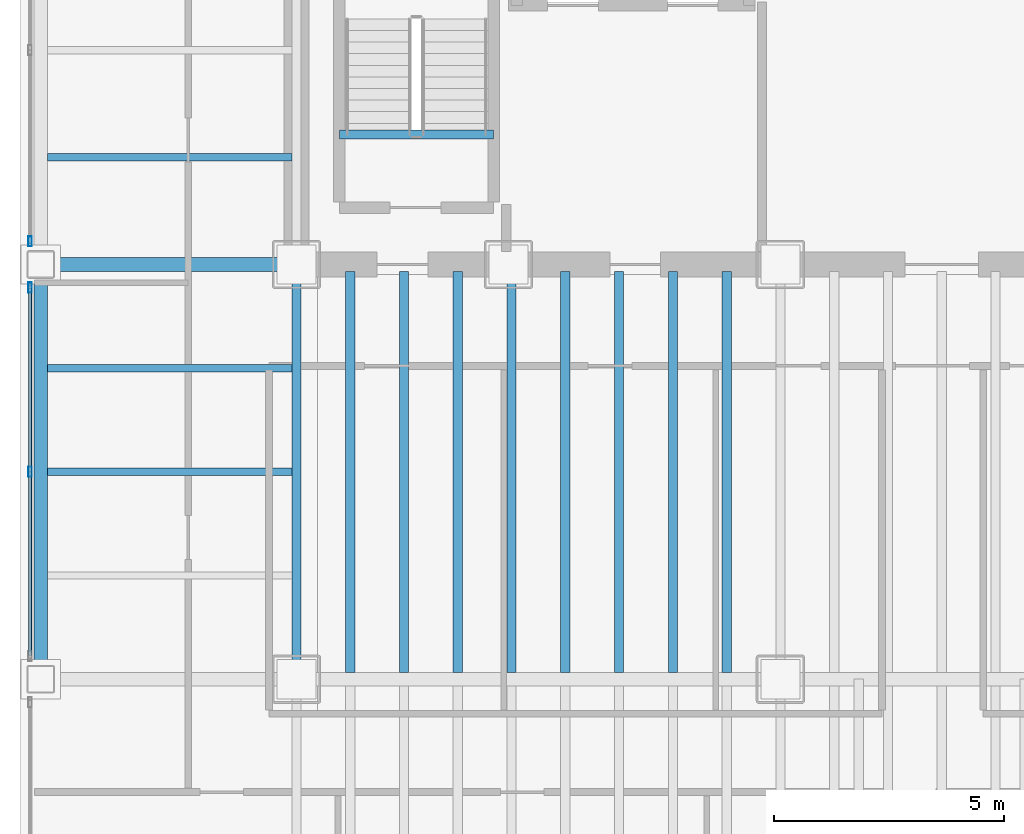
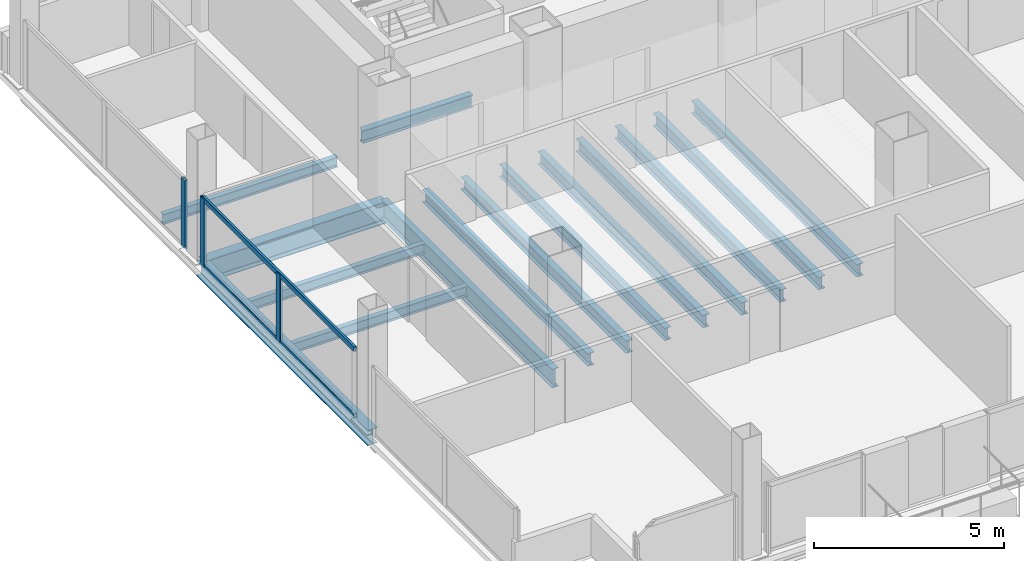
# One storey, part 6 of 21: 15 beams, 5 members, 2 elements without a shape of their own.
"""IFC4 building model written with IfcOpenShell, lengths in metres."""

from ifc_helpers import new_model, si_unit, direction, frame, origin, origin_2d, place, context, subcontext, project, spatial, hollow_rectangle, i_section, extrude, material, material_profile, profile_set, type_object, element, aggregate, save


model = new_model("IFC4")

# Units and contexts
model_context = context("Model", 3, precision=1e-05, world=origin(), true_north=direction((0.0, 1.0)))
body_context = subcontext(model_context, "Body", "Model", "MODEL_VIEW")
ifc_project = project(units=[si_unit("LENGTHUNIT", "METRE"), si_unit("AREAUNIT", "SQUARE_METRE"), si_unit("VOLUMEUNIT", "CUBIC_METRE"), si_unit("PLANEANGLEUNIT", "RADIAN"), si_unit("MASSUNIT", "GRAM", prefix="KILO")], contexts=[model_context])

# Site, building, storey
site_placement = place(None, origin())
site = spatial("IfcSite", under=ifc_project, at=site_placement, CompositionType="ELEMENT")
building_placement = place(site_placement, origin())
building = spatial("IfcBuilding", under=site, at=building_placement, Name="Noeulbin Bourse Tower", CompositionType="ELEMENT")
storey_placement = place(building_placement, frame((0.0, 0.0, 96.699951171875)))
storey = spatial("IfcBuildingStorey", under=building, at=storey_placement, Name="L24", CompositionType="ELEMENT", Elevation=96.699951171875)

# Beams
ifc_material_1 = material(Name="Steel S355", Category="steel")
ifc_material_profile_1 = material_profile(ifc_material_1, i_section(OverallWidth=0.199951171875, OverallDepth=0.60009765625, WebThickness=0.010986328125, FlangeThickness=0.01708984375, FilletRadius=0.02197265625, at=origin_2d()), Name="H-600x200x11x17", Category="LoadBearing")
ifc_profile_set_1 = profile_set([ifc_material_profile_1], Name="Steel S355")
beam_type_1 = type_object("IfcBeamType", Name="BM-GRD-600", PredefinedType="USERDEFINED", material=ifc_profile_set_1)
beam_1_placement = place(storey_placement, frame((13.5, 20.0, -0.47998046875), z_axis=(0.0, 1.0, 0.0), x_axis=(-1.0, 0.0, 0.0)))
element("IfcBeam", 1, at=beam_1_placement, inside=storey, type_object=beam_type_1, Name="Tower Primary Girder NS L24-1.2", ObjectType="GIRDER", PredefinedType="USERDEFINED", context=body_context, shape_type="SweptSolid", body=[
    extrude(i_section(OverallWidth=0.199951171875, OverallDepth=0.60009765625, WebThickness=0.010986328125, FlangeThickness=0.01708984375, FilletRadius=0.02197265625, at=origin_2d()), origin(), (0.0, 0.0, 1.0), 9.0),
])
ifc_material_profile_2 = material_profile(ifc_material_1, i_section(OverallWidth=0.300048828125, OverallDepth=0.699951171875, WebThickness=0.012939453125, FlangeThickness=0.02392578125, FilletRadius=0.02392578125, at=origin_2d()), Name="H-700x300x13x24", Category="LoadBearing")
ifc_profile_set_2 = profile_set([ifc_material_profile_2], Name="Steel S355")
beam_type_2 = type_object("IfcBeamType", Name="BM-GRD-700", PredefinedType="USERDEFINED", material=ifc_profile_set_2)
beam_2_placement = place(storey_placement, frame((7.949951171875, 29.0, -0.530029296875), z_axis=(1.0, 0.0, 0.0), x_axis=(0.0, 1.0, 0.0)))
element("IfcBeam", 2, at=beam_2_placement, inside=storey, type_object=beam_type_2, Name="Tower Primary Girder EW L24-2.1", ObjectType="GIRDER", PredefinedType="USERDEFINED", context=body_context, shape_type="SweptSolid", body=[
    extrude(i_section(OverallWidth=0.300048828125, OverallDepth=0.699951171875, WebThickness=0.012939453125, FlangeThickness=0.02392578125, FilletRadius=0.02392578125, at=origin_2d()), origin(), (0.0, 0.0, 1.0), 5.550048828125),
])
ifc_material_profile_3 = material_profile(ifc_material_1, i_section(OverallWidth=0.159912109375, OverallDepth=0.320068359375, WebThickness=0.006591796875, FlangeThickness=0.010009765625, FilletRadius=0.012939453125, at=origin_2d()), Name="H-320x160x6.5x10", Category="LoadBearing")
ifc_profile_set_3 = profile_set([ifc_material_profile_3], Name="Steel S355")
beam_type_3 = type_object("IfcBeamType", Name="BM-JST-320", PredefinedType="JOIST", material=ifc_profile_set_3)
for number, where, z_axis, x_axis, name in (
    (3, (8.10009765625, 24.5, -0.33984375), (1.0, 0.0, 0.0), (0.0, 1.0, 0.0), "Wing Composite Joist L24-W71"),
    (4, (8.10009765625, 26.75, -0.33984375), (1.0, 0.0, 0.0), (0.0, 1.0, 0.0), "Wing Composite Joist L24-W72"),
    (5, (8.10009765625, 31.324951171875, -0.33984375), (1.0, 0.0, 0.0), (0.0, 1.0, 0.0), "Wing Composite Joist L24-W73"),
):
    element("IfcBeam", number, at=place(storey_placement, frame(where, z_axis=z_axis, x_axis=x_axis)), inside=storey, type_object=beam_type_3, Name=name, PredefinedType="JOIST", context=body_context, shape_type="SweptSolid", body=[
        extrude(i_section(OverallWidth=0.159912109375, OverallDepth=0.320068359375, WebThickness=0.006591796875, FlangeThickness=0.010009765625, FilletRadius=0.012939453125, at=origin_2d()), origin(), (0.0, 0.0, 1.0), 5.2998046875),
    ])
ifc_material_profile_4 = material_profile(ifc_material_1, i_section(OverallWidth=0.199951171875, OverallDepth=0.39990234375, WebThickness=0.008056640625, FlangeThickness=0.012939453125, FilletRadius=0.01611328125, at=origin_2d()), Name="H-400x200x8x13", Category="LoadBearing")
ifc_profile_set_4 = profile_set([ifc_material_profile_4], Name="Steel S355")
beam_type_4 = type_object("IfcBeamType", Name="BM-SEC-400", PredefinedType="BEAM", material=ifc_profile_set_4)
for number, where, z_axis, x_axis, name in (
    (6, (14.666748046875, 20.14990234375, -0.3798828125), (0.0, 1.0, 0.0), (-1.0, 0.0, 0.0), "Tower Composite Joist L24-02"),
    (7, (15.833251953125, 20.14990234375, -0.3798828125), (0.0, 1.0, 0.0), (-1.0, 0.0, 0.0), "Tower Composite Joist L24-05"),
    (8, (17.0, 20.14990234375, -0.3798828125), (0.0, 1.0, 0.0), (-1.0, 0.0, 0.0), "Tower Composite Joist L24-08"),
    (9, (18.166748046875, 20.14990234375, -0.3798828125), (0.0, 1.0, 0.0), (-1.0, 0.0, 0.0), "Tower Composite Joist L24-11"),
    (10, (19.333251953125, 20.14990234375, -0.3798828125), (0.0, 1.0, 0.0), (-1.0, 0.0, 0.0), "Tower Composite Joist L24-14"),
    (11, (20.5, 20.14990234375, -0.3798828125), (0.0, 1.0, 0.0), (-1.0, 0.0, 0.0), "Tower Composite Joist L24-17"),
    (12, (21.666748046875, 20.14990234375, -0.3798828125), (0.0, 1.0, 0.0), (-1.0, 0.0, 0.0), "Tower Composite Joist L24-20"),
    (13, (22.833251953125, 20.14990234375, -0.3798828125), (0.0, 1.0, 0.0), (-1.0, 0.0, 0.0), "Tower Composite Joist L24-23"),
):
    element("IfcBeam", number, at=place(storey_placement, frame(where, z_axis=z_axis, x_axis=x_axis)), inside=storey, type_object=beam_type_4, Name=name, PredefinedType="BEAM", context=body_context, shape_type="SweptSolid", body=[
        extrude(i_section(OverallWidth=0.199951171875, OverallDepth=0.39990234375, WebThickness=0.008056640625, FlangeThickness=0.012939453125, FilletRadius=0.01611328125, at=origin_2d()), origin(), (0.0, 0.0, 1.0), 8.7001953125),
    ])
beam_3_placement = place(storey_placement, frame((14.429931640625, 31.820068359375, -0.199951171875), z_axis=(1.0, 0.0, 0.0), x_axis=(0.0, 1.0, 0.0)))
element("IfcBeam", 14, at=beam_3_placement, inside=storey, type_object=beam_type_4, Name="Stair Threshold Trimmer Beam ST1-L24", PredefinedType="BEAM", context=body_context, shape_type="SweptSolid", body=[
    extrude(i_section(OverallWidth=0.199951171875, OverallDepth=0.39990234375, WebThickness=0.008056640625, FlangeThickness=0.012939453125, FilletRadius=0.01611328125, at=origin_2d()), origin(), (0.0, 0.0, 1.0), 3.340087890625),
])
ifc_material_profile_5 = material_profile(ifc_material_1, i_section(OverallWidth=0.300048828125, OverallDepth=0.488037109375, WebThickness=0.010986328125, FlangeThickness=0.01806640625, FilletRadius=0.02197265625, at=origin_2d()), Name="H-488x300x11x18", Category="LoadBearing")
ifc_profile_set_5 = profile_set([ifc_material_profile_5], Name="Steel S355")
beam_type_5 = type_object("IfcBeamType", Name="BM-SPN-488", PredefinedType="SPANDREL", material=ifc_profile_set_5)
beam_4_placement = place(storey_placement, frame((7.949951171875, 20.0, -0.424072265625), z_axis=(0.0, 1.0, 0.0), x_axis=(-1.0, 0.0, 0.0)))
element("IfcBeam", 15, at=beam_4_placement, inside=storey, type_object=beam_type_5, Name="West Spandrel L24-1", PredefinedType="SPANDREL", context=body_context, shape_type="SweptSolid", body=[
    extrude(i_section(OverallWidth=0.300048828125, OverallDepth=0.488037109375, WebThickness=0.010986328125, FlangeThickness=0.01806640625, FilletRadius=0.02197265625, at=origin_2d()), origin(), (0.0, 0.0, 1.0), 9.0),
])

# Curtain wall, members
ifc_material_2 = material(Name="Dark Solar-Control Double Glazing", Category="glass")
curtain_wall_type = type_object("IfcCurtainWallType", Name="CW-SYS-2", PredefinedType="NOTDEFINED", material=ifc_material_2)
curtain_wall_1_placement = place(storey_placement, origin())
curtain_wall_1 = element("IfcCurtainWall", 16, at=curtain_wall_1_placement, inside=storey, type_object=curtain_wall_type, Name="Unitised Curtain Wall CW-L24-W-S2", PredefinedType="NOTDEFINED")
ifc_material_3 = material(Name="Anodised Aluminium 6063-T6", Category="aluminium")
ifc_material_profile_6 = material_profile(ifc_material_3, hollow_rectangle(XDim=0.074951171875, YDim=0.219970703125, WallThickness=0.0048828125, InnerFilletRadius=0.00244140625, OuterFilletRadius=0.0048828125, at=origin_2d()), Name="ALU-MULL-75x220x5", Category="LoadBearing")
ifc_profile_set_6 = profile_set([ifc_material_profile_6], Name="Anodised Aluminium 6063-T6")
member_type_1 = type_object("IfcMemberType", Name="CW-SYS-2-MUL", PredefinedType="MULLION", material=ifc_profile_set_6)
member_1_placement = place(storey_placement, frame((7.719970703125, 24.5, -0.02001953125), z_axis=(0.0, 0.0, 1.0), x_axis=(1.0, 0.0, 0.0)))
member_1 = element("IfcMember", 17, at=member_1_placement, type_object=member_type_1, Name="Curtain Wall Mullion CW-L24-W-S2-M01", PredefinedType="MULLION", context=body_context, shape_type="SweptSolid", body=[
    extrude(hollow_rectangle(XDim=0.074951171875, YDim=0.219970703125, WallThickness=0.0048828125, InnerFilletRadius=0.00244140625, OuterFilletRadius=0.0048828125, at=origin_2d()), origin(), (0.0, 0.0, 1.0), 2.199951171875),
])
member_2_placement = place(storey_placement, frame((7.719970703125, 28.5, -0.02001953125), z_axis=(0.0, 0.0, 1.0), x_axis=(1.0, 0.0, 0.0)))
member_2 = element("IfcMember", 18, at=member_2_placement, type_object=member_type_1, Name="Curtain Wall Mullion CW-L24-W-S2-M02", PredefinedType="MULLION", context=body_context, shape_type="SweptSolid", body=[
    extrude(hollow_rectangle(XDim=0.074951171875, YDim=0.219970703125, WallThickness=0.0048828125, InnerFilletRadius=0.00244140625, OuterFilletRadius=0.0048828125, at=origin_2d()), origin(), (0.0, 0.0, 1.0), 2.199951171875),
])

# Curtain wall, member
curtain_wall_2_placement = place(storey_placement, origin())
curtain_wall_2 = element("IfcCurtainWall", 19, at=curtain_wall_2_placement, inside=storey, type_object=curtain_wall_type, Name="Unitised Curtain Wall CW-L24-W-S3", PredefinedType="NOTDEFINED")
member_3_placement = place(storey_placement, frame((7.719970703125, 29.5, -0.02001953125), z_axis=(0.0, 0.0, 1.0), x_axis=(1.0, 0.0, 0.0)))
member_3 = element("IfcMember", 20, at=member_3_placement, type_object=member_type_1, Name="Curtain Wall Mullion CW-L24-W-S3-M00", PredefinedType="MULLION", context=body_context, shape_type="SweptSolid", body=[
    extrude(hollow_rectangle(XDim=0.074951171875, YDim=0.219970703125, WallThickness=0.0048828125, InnerFilletRadius=0.00244140625, OuterFilletRadius=0.0048828125, at=origin_2d()), origin(), (0.0, 0.0, 1.0), 2.199951171875),
])
aggregate(curtain_wall_2, [member_3])

# Member
ifc_material_profile_7 = material_profile(ifc_material_3, hollow_rectangle(XDim=0.074951171875, YDim=0.159912109375, WallThickness=0.0048828125, InnerFilletRadius=0.00244140625, OuterFilletRadius=0.0048828125, at=origin_2d()), Name="ALU-TRAN-75x160x5", Category="LoadBearing")
ifc_profile_set_7 = profile_set([ifc_material_profile_7], Name="Anodised Aluminium 6063-T6")
member_type_2 = type_object("IfcMemberType", Name="CW-SYS-2-TRN", PredefinedType="USERDEFINED", material=ifc_profile_set_7)
member_4_placement = place(storey_placement, frame((7.719970703125, 20.510009765625, 0.010009765625), z_axis=(0.0, 1.0, 0.0), x_axis=(-1.0, 0.0, 0.0)))
member_4 = element("IfcMember", 21, at=member_4_placement, type_object=member_type_2, Name="Curtain Wall Transom CW-L24-W-S2-T00", ObjectType="TRANSOM", PredefinedType="USERDEFINED", context=body_context, shape_type="SweptSolid", body=[
    extrude(hollow_rectangle(XDim=0.074951171875, YDim=0.159912109375, WallThickness=0.0048828125, InnerFilletRadius=0.00244140625, OuterFilletRadius=0.0048828125, at=origin_2d()), origin(), (0.0, 0.0, 1.0), 7.97998046875),
])

member_5_placement = place(storey_placement, frame((7.719970703125, 20.510009765625, 2.150146484375), z_axis=(0.0, 1.0, 0.0), x_axis=(-1.0, 0.0, 0.0)))
member_5 = element("IfcMember", 22, at=member_5_placement, type_object=member_type_2, Name="Curtain Wall Transom CW-L24-W-S2-T01", ObjectType="TRANSOM", PredefinedType="USERDEFINED", context=body_context, shape_type="SweptSolid", body=[
    extrude(hollow_rectangle(XDim=0.074951171875, YDim=0.159912109375, WallThickness=0.0048828125, InnerFilletRadius=0.00244140625, OuterFilletRadius=0.0048828125, at=origin_2d()), origin(), (0.0, 0.0, 1.0), 7.97998046875),
])

aggregate(curtain_wall_1, [member_1, member_2, member_4, member_5])

save(model, "model.ifc")
